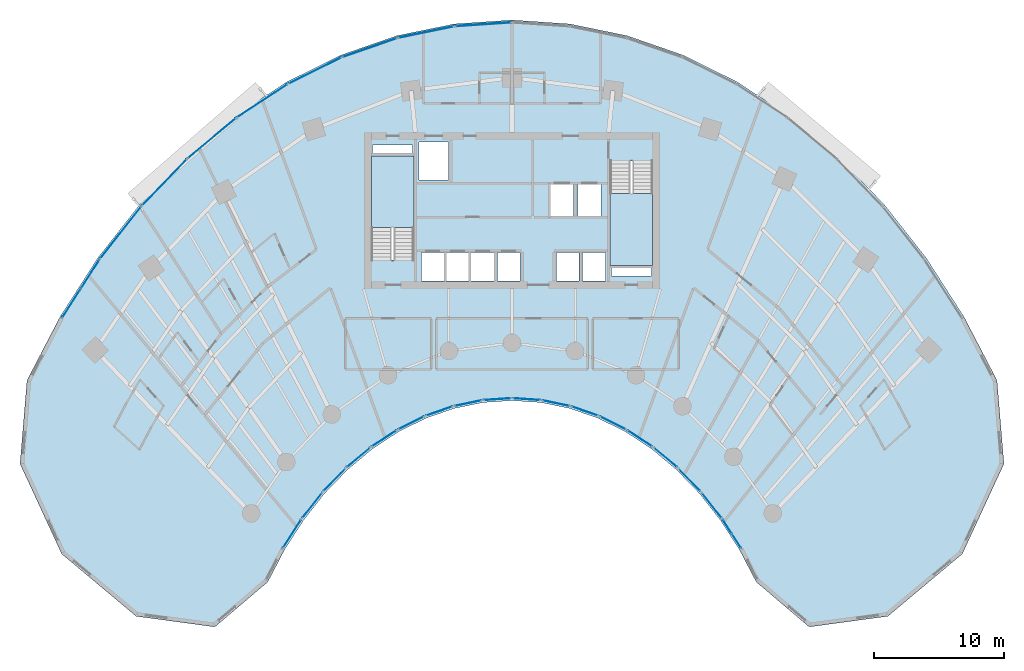
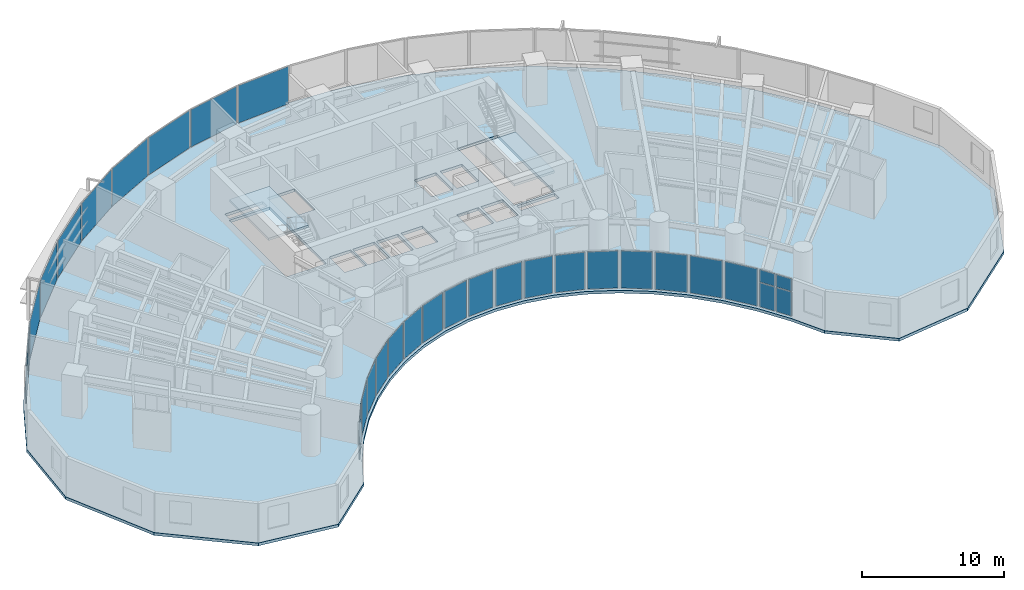
# One storey, part 9 of 17: 33 plates, 3 slabs, 29 elements without a shape of their own.
"""IFC4 building model written with IfcOpenShell, lengths in metres."""

import ifcopenshell
import ifcopenshell.guid

model = None  # the IFC model being written
_history = None  # IfcOwnerHistory: only IFC2X3 demands one
_inside = {}  # id of a spatial element -> (the spatial element, [elements in it])
_under = {}  # id of a project, library or spatial element -> (it, [spatial elements below it])
_declared = {}  # id of a project -> (the project, [libraries it declares])
_typed = {}  # id of a type object -> (the type object, [elements of that type])
_made_of = {}  # id of a material, layer set ... -> (it, [elements and type objects made of it])


def new_model(schema):
    """Start an empty IFC model of exactly this schema.

    Asked for "IFC4X3", IfcOpenShell would pick the latest addendum, in which some entities
    have other attributes; the version numbers below select the first issue.
    IFC2X3 requires an IfcOwnerHistory on every rooted entity: one is made here for all.
    """
    global model, _history
    if schema == "IFC4X3":
        model = ifcopenshell.file(schema_version=(4, 3, 0, 0))
    else:
        model = ifcopenshell.file(schema=schema)
    _inside.clear()
    _under.clear()
    _declared.clear()
    _typed.clear()
    _made_of.clear()
    _history = None
    if model.schema == "IFC2X3":
        org = make("IfcOrganization", Name="unknown")
        user = make(
            "IfcPersonAndOrganization",
            ThePerson=make("IfcPerson", FamilyName="unknown"),
            TheOrganization=org,
        )
        app = make(
            "IfcApplication",
            ApplicationDeveloper=org,
            Version="unknown",
            ApplicationFullName="unknown",
            ApplicationIdentifier="unknown",
        )
        _history = make(
            "IfcOwnerHistory",
            OwningUser=user,
            OwningApplication=app,
            ChangeAction="ADDED",
            CreationDate=0,
        )
    return model


def make(cls, **values):
    """One entity of the class cls with the attributes given. An attribute that is None is left unset."""
    return model.create_entity(
        cls, **{name: value for name, value in values.items() if value is not None}
    )


def rooted(cls, **values):
    """An entity with a GlobalId (a new one), such as an element, a storey or a relation."""
    return make(cls, GlobalId=ifcopenshell.guid.new(), OwnerHistory=_history, **values)


def si_unit(unit_type, name, prefix=None):
    """IfcSIUnit, for example si_unit("LENGTHUNIT", "METRE", prefix="MILLI")."""
    return make("IfcSIUnit", UnitType=unit_type, Prefix=prefix, Name=name)


def assignment(units):
    """IfcUnitAssignment: the units of a project."""
    return None if units is None else make("IfcUnitAssignment", Units=units)


def point(xyz):
    """IfcCartesianPoint."""
    return None if xyz is None else make("IfcCartesianPoint", Coordinates=xyz)


def direction(xyz):
    """IfcDirection."""
    return None if xyz is None else make("IfcDirection", DirectionRatios=xyz)


def frame(location, z_axis=None, x_axis=None):
    """IfcAxis2Placement3D, a coordinate frame: its origin and axes. An axis left out is left unset."""
    return make(
        "IfcAxis2Placement3D",
        Location=point(location),
        Axis=direction(z_axis),
        RefDirection=direction(x_axis),
    )


def frame_2d(location, x_axis=None):
    """IfcAxis2Placement2D, a coordinate frame in the plane: its origin and x axis."""
    return make(
        "IfcAxis2Placement2D", Location=point(location), RefDirection=direction(x_axis)
    )


def origin():
    """The frame at (0, 0, 0) with its axes left unset."""
    return frame((0.0, 0.0, 0.0))


def origin_2d():
    """The frame at (0, 0) in the plane with its x axis left unset."""
    return frame_2d((0.0, 0.0))


def place(relative_to, where):
    """IfcLocalPlacement: puts the frame where relative to a parent placement (None: the world)."""
    return make(
        "IfcLocalPlacement", PlacementRelTo=relative_to, RelativePlacement=where
    )


def context(
    kind, dimensions, precision=None, world=None, true_north=None, identifier=None
):
    """IfcGeometricRepresentationContext, for example the 3D "Model" context."""
    return make(
        "IfcGeometricRepresentationContext",
        ContextIdentifier=identifier,
        ContextType=kind,
        CoordinateSpaceDimension=dimensions,
        Precision=precision,
        WorldCoordinateSystem=world,
        TrueNorth=true_north,
    )


def subcontext(parent, identifier, kind, view, scale=None):
    """IfcGeometricRepresentationSubContext, for example "Body" below "Model"."""
    return make(
        "IfcGeometricRepresentationSubContext",
        ContextIdentifier=identifier,
        ContextType=kind,
        ParentContext=parent,
        TargetScale=scale,
        TargetView=view,
    )


def project(units=None, contexts=None):
    """IfcProject with its units and contexts."""
    return rooted(
        "IfcProject",
        Name="project",
        RepresentationContexts=contexts,
        UnitsInContext=assignment(units),
    )


def spatial(cls, under=None, at=None, **own):
    """A site, building, storey or space (cls), placed at a placement, below another one or the project."""
    s = rooted(cls, ObjectPlacement=at, **own)
    if under is not None:
        _under.setdefault(under.id(), (under, []))[1].append(s)
    return s


def polyline(points):
    """IfcPolyline through the points."""
    return make("IfcPolyline", Points=[point(p) for p in points])


def profile(cls, at=None, kind="AREA", **sizes):
    """A parametric profile (cls). Its sizes go by their IFC names, for example OverallWidth=200.0."""
    return make(cls, ProfileType=kind, Position=at, **sizes)


def rectangle(**sizes):
    """IfcRectangleProfileDef."""
    return profile("IfcRectangleProfileDef", **sizes)


def outline(outer, holes=None, kind="AREA"):
    """IfcArbitraryClosedProfileDef: a profile drawn as a closed curve; with holes, ...WithVoids."""
    if holes is None:
        return make("IfcArbitraryClosedProfileDef", ProfileType=kind, OuterCurve=outer)
    return make(
        "IfcArbitraryProfileDefWithVoids",
        ProfileType=kind,
        OuterCurve=outer,
        InnerCurves=holes,
    )


def extrude(swept, where, along, depth):
    """IfcExtrudedAreaSolid: the profile swept, set in the frame where, extruded along a direction by depth."""
    return make(
        "IfcExtrudedAreaSolid",
        SweptArea=swept,
        Position=where,
        ExtrudedDirection=direction(along),
        Depth=depth,
    )


def shape(context_of_items, identifier, shape_type, items):
    """IfcShapeRepresentation: the items that make up one representation, for example the "Body"."""
    return make(
        "IfcShapeRepresentation",
        ContextOfItems=context_of_items,
        RepresentationIdentifier=identifier,
        RepresentationType=shape_type,
        Items=items,
    )


def source(mapping_origin, context_of_items, identifier, shape_type, items):
    """IfcRepresentationMap: a shape defined once, which mapped items show again and again."""
    return make(
        "IfcRepresentationMap",
        MappingOrigin=mapping_origin,
        MappedRepresentation=shape(context_of_items, identifier, shape_type, items),
    )


def transform(
    local_origin,
    x_axis=None,
    y_axis=None,
    z_axis=None,
    scale=None,
    scale2=None,
    scale3=None,
    uniform=True,
):
    """IfcCartesianTransformationOperator3D, or its non-uniform kind. x_axis, y_axis, z_axis: its Axis1, 2, 3."""
    if uniform:
        return make(
            "IfcCartesianTransformationOperator3D",
            Axis1=direction(x_axis),
            Axis2=direction(y_axis),
            LocalOrigin=point(local_origin),
            Scale=scale,
            Axis3=direction(z_axis),
        )
    return make(
        "IfcCartesianTransformationOperator3DnonUniform",
        Axis1=direction(x_axis),
        Axis2=direction(y_axis),
        LocalOrigin=point(local_origin),
        Scale=scale,
        Axis3=direction(z_axis),
        Scale2=scale2,
        Scale3=scale3,
    )


def mapped(mapping_source, mapping_target):
    """IfcMappedItem: shows the shape of a source again, moved by a transform."""
    return make(
        "IfcMappedItem", MappingSource=mapping_source, MappingTarget=mapping_target
    )


def material(Name=None, Category=None):
    """IfcMaterial."""
    return make("IfcMaterial", Name=Name, Category=Category)


def layer(
    of_material, thickness, ventilated=None, Name=None, Category=None, Priority=None
):
    """IfcMaterialLayer: one layer of a wall or slab, of a material (None: an air gap)."""
    return make(
        "IfcMaterialLayer",
        Material=of_material,
        LayerThickness=thickness,
        IsVentilated=ventilated,
        Name=Name,
        Category=Category,
        Priority=Priority,
    )


def layer_set(layers, Name=None):
    """IfcMaterialLayerSet."""
    return make("IfcMaterialLayerSet", MaterialLayers=layers, LayerSetName=Name)


def made_of(thing, what):
    """Note that an element or type object is made of a material, layer set ...; save() writes the relation."""
    if what is not None:
        _made_of.setdefault(what.id(), (what, []))[1].append(thing)
    return thing


def type_object(cls, material=None, **own):
    """A type object (cls), such as IfcWallType, which elements share."""
    return made_of(rooted(cls, **own), material)


def type_shapes(of_type, sources):
    """Give a type object the sources (RepresentationMaps) that its elements show as mapped items."""
    of_type.RepresentationMaps = sources


def element(
    cls,
    number,
    at=None,
    inside=None,
    cuts=None,
    type_object=None,
    material=None,
    context=None,
    identifier="Body",
    shape_type=None,
    held_by="IfcProductDefinitionShape",
    body=None,
    shapes=None,
    **own,
):
    """One element of the class cls, such as IfcWall. Its Tag is "e" and its number.

    at: its placement. inside: the storey or other place that contains it. cuts: it is an
    opening in that element (IfcRelVoidsElement). A single representation is given by context,
    identifier, shape_type and body (its items); several are given by shapes. held_by: the class
    of the entity that holds the representations. save() writes the other relations.
    """
    e = rooted(cls, Tag="e%d" % number, ObjectPlacement=at, **own)
    if body is not None:
        shapes = [shape(context, identifier, shape_type, body)]
    if shapes is not None:
        e.Representation = make(held_by, Representations=shapes)
    if inside is not None:
        _inside.setdefault(inside.id(), (inside, []))[1].append(e)
    if cuts is not None:
        rooted(
            "IfcRelVoidsElement", RelatingBuildingElement=cuts, RelatedOpeningElement=e
        )
    if type_object is not None:
        _typed.setdefault(type_object.id(), (type_object, []))[1].append(e)
    return made_of(e, material)


def aggregate(whole, parts):
    """IfcRelAggregates: a whole, such as a stair, and the parts it consists of."""
    return rooted("IfcRelAggregates", RelatingObject=whole, RelatedObjects=parts)


def save(model, path):
    """Write the relations noted so far, then the file.

    IfcRelAggregates (storeys below a building ...), IfcRelContainedInSpatialStructure (elements
    in a storey), IfcRelDefinesByType, IfcRelAssociatesMaterial and IfcRelDeclares: one each for
    every whole, place, type object, material and project.
    """
    for whole, parts in _under.values():
        aggregate(whole, parts)
    for where, things in _inside.values():
        rooted(
            "IfcRelContainedInSpatialStructure",
            RelatedElements=things,
            RelatingStructure=where,
        )
    for kind, things in _typed.values():
        rooted("IfcRelDefinesByType", RelatedObjects=things, RelatingType=kind)
    for what, things in _made_of.values():
        rooted("IfcRelAssociatesMaterial", RelatedObjects=things, RelatingMaterial=what)
    for by, libraries in _declared.values():
        rooted("IfcRelDeclares", RelatingContext=by, RelatedDefinitions=libraries)
    model.write(path)


model = new_model("IFC4")

# Units and contexts
model_context = context("Model", 3, precision=1e-05, world=origin(), true_north=direction((0.0, 1.0)))
body_context = subcontext(model_context, "Body", "Model", "MODEL_VIEW")
ifc_project = project(units=[si_unit("LENGTHUNIT", "METRE"), si_unit("AREAUNIT", "SQUARE_METRE"), si_unit("VOLUMEUNIT", "CUBIC_METRE"), si_unit("PLANEANGLEUNIT", "RADIAN"), si_unit("MASSUNIT", "GRAM", prefix="KILO")], contexts=[model_context])

# Site, building, storey
site_placement = place(None, origin())
site = spatial("IfcSite", under=ifc_project, at=site_placement, CompositionType="ELEMENT")
building_placement = place(site_placement, origin())
building = spatial("IfcBuilding", under=site, at=building_placement, Name="Breltana Convention Tower", CompositionType="ELEMENT")
storey_placement = place(building_placement, frame((0.0, 0.0, 67.800048828125)))
storey = spatial("IfcBuildingStorey", under=building, at=storey_placement, Name="L15", CompositionType="ELEMENT", Elevation=67.800048828125)

# Slab
ifc_material_1 = material(Name="Concrete C40/50", Category="concrete")
ifc_layer_1 = layer(ifc_material_1, 0.239990234375, Name="Concrete C40/50")
ifc_layer_set_1 = layer_set([ifc_layer_1], Name="Concrete C40/50")
slab_type_1 = type_object("IfcSlabType", Name="SL-HTL-240", PredefinedType="FLOOR", material=ifc_layer_set_1)
slab_1_placement = place(storey_placement, frame((0.0, 0.0, -0.239990234375)))
element("IfcSlab", 1, at=slab_1_placement, inside=storey, type_object=slab_type_1, Name="L15 Suspended Structural Floor Slab", PredefinedType="FLOOR", context=body_context, shape_type="SweptSolid", body=[
    extrude(outline(polyline([(85.229248046875, 53.173095703125), (82.687744140625, 58.054931640625), (79.791015625, 62.567626953125), (76.569091796875, 66.664794921875), (73.05419921875, 70.304931640625), (69.283203125, 73.450439453125), (65.2939453125, 76.069091796875), (61.1279296875, 78.134033203125), (56.827392578125, 79.62451171875), (52.436279296875, 80.52490234375), (48.0, 80.825927734375), (43.563720703125, 80.52490234375), (39.172607421875, 79.62451171875), (34.8720703125, 78.134033203125), (30.7060546875, 76.069091796875), (26.716796875, 73.450439453125), (22.94580078125, 70.304931640625), (19.430908203125, 66.664794921875), (16.208984375, 62.567626953125), (13.312255859375, 58.054931640625), (10.770751953125, 53.173095703125), (10.234619140625, 46.75927734375), (13.433837890625, 39.8388671875), (19.14697265625, 35.055419921875), (25.191162109375, 34.235595703125), (29.258056640625, 37.693115234375), (30.53759765625, 40.150634765625), (31.995849609375, 42.42236328125), (33.617919921875, 44.485107421875), (35.38720703125, 46.3173828125), (37.28564453125, 47.90087890625), (39.2939453125, 49.21923828125), (41.39111328125, 50.2587890625), (43.55615234375, 51.009033203125), (45.7666015625, 51.46240234375), (48.0, 51.614013671875), (50.2333984375, 51.46240234375), (52.44384765625, 51.009033203125), (54.60888671875, 50.2587890625), (56.7060546875, 49.21923828125), (58.71435546875, 47.90087890625), (60.61279296875, 46.3173828125), (62.382080078125, 44.485107421875), (64.004150390625, 42.42236328125), (65.46240234375, 40.150634765625), (66.741943359375, 37.693115234375), (70.808837890625, 34.235595703125), (76.85302734375, 35.055419921875), (82.566162109375, 39.8388671875), (85.765380859375, 46.75927734375), (85.229248046875, 53.173095703125)]), holes=[polyline([(37.199951171875, 62.385009765625), (40.469970703125, 62.385009765625), (40.469970703125, 70.39990234375), (37.199951171875, 70.39990234375), (37.199951171875, 62.385009765625)]), polyline([(55.530029296875, 62.0), (58.800048828125, 62.0), (58.800048828125, 70.014892578125), (55.530029296875, 70.014892578125), (55.530029296875, 62.0)]), polyline([(41.0400390625, 60.800048828125), (42.800048828125, 60.800048828125), (42.800048828125, 62.97998046875), (41.0400390625, 62.97998046875), (41.0400390625, 60.800048828125)]), polyline([(42.93994140625, 60.800048828125), (44.699951171875, 60.800048828125), (44.699951171875, 62.97998046875), (42.93994140625, 62.97998046875), (42.93994140625, 60.800048828125)]), polyline([(44.8701171875, 60.800048828125), (46.6298828125, 60.800048828125), (46.6298828125, 62.97998046875), (44.8701171875, 62.97998046875), (44.8701171875, 60.800048828125)]), polyline([(46.8701171875, 60.800048828125), (48.6298828125, 60.800048828125), (48.6298828125, 62.97998046875), (46.8701171875, 62.97998046875), (46.8701171875, 60.800048828125)]), polyline([(51.39990234375, 60.800048828125), (53.159912109375, 60.800048828125), (53.159912109375, 62.97998046875), (51.39990234375, 62.97998046875), (51.39990234375, 60.800048828125)]), polyline([(53.39990234375, 60.800048828125), (55.159912109375, 60.800048828125), (55.159912109375, 62.97998046875), (53.39990234375, 62.97998046875), (53.39990234375, 60.800048828125)]), polyline([(50.969970703125, 65.800048828125), (52.72998046875, 65.800048828125), (52.72998046875, 68.179931640625), (50.969970703125, 68.179931640625), (50.969970703125, 65.800048828125)]), polyline([(53.070068359375, 65.800048828125), (54.830078125, 65.800048828125), (54.830078125, 68.179931640625), (53.070068359375, 68.179931640625), (53.070068359375, 65.800048828125)]), polyline([(40.8798828125, 68.550048828125), (43.1201171875, 68.550048828125), (43.1201171875, 71.449951171875), (40.8798828125, 71.449951171875), (40.8798828125, 68.550048828125)]), polyline([(37.300048828125, 70.60009765625), (40.3798828125, 70.60009765625), (40.3798828125, 71.219970703125), (37.300048828125, 71.219970703125), (37.300048828125, 70.60009765625)]), polyline([(55.6201171875, 61.179931640625), (58.699951171875, 61.179931640625), (58.699951171875, 61.800048828125), (55.6201171875, 61.800048828125), (55.6201171875, 61.179931640625)])]), origin(), (0.0, 0.0, 1.0), 0.239990234375),
])

# Stair, slab
stair_type = type_object("IfcStairType", Name="ST-DOG-1560-R180", PredefinedType="HALF_TURN_STAIR", material=ifc_material_1)
stair_1_placement = place(storey_placement, origin())
stair_1 = element("IfcStair", 2, at=stair_1_placement, inside=storey, type_object=stair_type, Name="L15 Protected Core Exit Stair ST-1", PredefinedType="HALF_TURN_STAIR")
ifc_layer_2 = layer(ifc_material_1, 0.199951171875, Name="Concrete C40/50")
ifc_layer_set_2 = layer_set([ifc_layer_2], Name="Concrete C40/50")
slab_type_2 = type_object("IfcSlabType", Name="SL-STAIR-LANDING-200", PredefinedType="LANDING", material=ifc_layer_set_2)
slab_2_placement = place(storey_placement, frame((0.0, 0.0, 1.599853515625)))
slab_2 = element("IfcSlab", 3, at=slab_2_placement, type_object=slab_type_2, Name="ST-1 landing 1", PredefinedType="LANDING", context=body_context, shape_type="SweptSolid", body=[
    extrude(outline(polyline([(40.469970703125, 64.8798828125), (40.469970703125, 70.39990234375), (37.199951171875, 70.39990234375), (37.199951171875, 64.8798828125), (40.469970703125, 64.8798828125)])), origin(), (0.0, 0.0, 1.0), 0.2001953125),
])
aggregate(stair_1, [slab_2])

stair_2_placement = place(storey_placement, origin())
stair_2 = element("IfcStair", 4, at=stair_2_placement, inside=storey, type_object=stair_type, Name="L15 Protected Core Exit Stair ST-2", PredefinedType="HALF_TURN_STAIR")
slab_3_placement = place(storey_placement, frame((0.0, 0.0, 1.599853515625)))
slab_3 = element("IfcSlab", 5, at=slab_3_placement, type_object=slab_type_2, Name="ST-2 landing 1", PredefinedType="LANDING", context=body_context, shape_type="SweptSolid", body=[
    extrude(outline(polyline([(55.530029296875, 67.52001953125), (55.530029296875, 62.0), (58.800048828125, 62.0), (58.800048828125, 67.52001953125), (55.530029296875, 67.52001953125)])), origin(), (0.0, 0.0, 1.0), 0.2001953125),
])
aggregate(stair_2, [slab_3])

# Curtain wall, plates
ifc_material_2 = material(Name="Aluminium Anodised Bronze Frame", Category="aluminium")
ifc_layer_3 = layer(ifc_material_2, 0.18994140625, Name="Aluminium Anodised Bronze Frame")
ifc_layer_set_3 = layer_set([ifc_layer_3], Name="Aluminium Anodised Bronze Frame")
curtain_wall_type_1 = type_object("IfcCurtainWallType", Name="CW-SYS-1", PredefinedType="NOTDEFINED", material=ifc_layer_set_3)
curtain_wall_1_placement = place(storey_placement, origin())
curtain_wall_1 = element("IfcCurtainWall", 6, at=curtain_wall_1_placement, inside=storey, type_object=curtain_wall_type_1, Name="L15 inner south-court glazing 1", PredefinedType="NOTDEFINED")
ifc_material_3 = material(Name="Glass Low-E Double Glazing", Category="glass")
ifc_layer_4 = layer(ifc_material_3, 0.028076171875, Name="Glass Low-E Double Glazing")
ifc_layer_set_4 = layer_set([ifc_layer_4], Name="Glass Low-E Double Glazing")
plate_type_1 = type_object("IfcPlateType", Name="CWP-IGU-28", PredefinedType="CURTAIN_PANEL", material=ifc_layer_set_4)
shared_shape_1 = source(origin(), body_context, "Body", "SweptSolid", [
    extrude(rectangle(XDim=1.229736328125, YDim=0.028076171875, at=origin_2d()), origin(), (0.0, 0.0, 1.0), 2.06396484375),
])
plate_1_placement = place(storey_placement, frame((65.238525390625, 40.83251953125, 0.080078125), z_axis=(0.0, 0.0, 1.0), x_axis=(-0.540169576197, 0.841556194767, 0.0)))
plate_1 = element("IfcPlate", 7, at=plate_1_placement, type_object=plate_type_1, Name="CW-01 panel 1.1", PredefinedType="CURTAIN_PANEL", context=body_context, shape_type="MappedRepresentation", body=[
    mapped(shared_shape_1, transform((0.0, 0.0, 0.0), scale=1.0)),
])
plate_2_placement = place(storey_placement, frame((64.531005859375, 41.934814453125, 0.080078125), z_axis=(0.0, 0.0, 1.0), x_axis=(-0.540169576197, 0.841556194767, 0.0)))
plate_2 = element("IfcPlate", 8, at=plate_2_placement, type_object=plate_type_1, Name="CW-01 panel 2.1", PredefinedType="CURTAIN_PANEL", context=body_context, shape_type="MappedRepresentation", body=[
    mapped(shared_shape_1, transform((0.0, 0.0, 0.0), scale=1.0)),
])
shared_shape_2 = source(origin(), body_context, "Body", "SweptSolid", [
    extrude(rectangle(XDim=1.229736328125, YDim=0.028076171875, at=origin_2d()), origin(), (0.0, 0.0, 1.0), 1.055908203125),
])
plate_3_placement = place(storey_placement, frame((65.238525390625, 40.83251953125, 2.22412109375), z_axis=(0.0, 0.0, 1.0), x_axis=(-0.540169576197, 0.841556194767, 0.0)))
plate_3 = element("IfcPlate", 9, at=plate_3_placement, type_object=plate_type_1, Name="CW-01 panel 1.2", PredefinedType="CURTAIN_PANEL", context=body_context, shape_type="MappedRepresentation", body=[
    mapped(shared_shape_2, transform((0.0, 0.0, 0.0), scale=1.0)),
])
plate_4_placement = place(storey_placement, frame((64.531005859375, 41.934814453125, 2.22412109375), z_axis=(0.0, 0.0, 1.0), x_axis=(-0.540169576197, 0.841556194767, 0.0)))
plate_4 = element("IfcPlate", 10, at=plate_4_placement, type_object=plate_type_1, Name="CW-01 panel 2.2", PredefinedType="CURTAIN_PANEL", context=body_context, shape_type="MappedRepresentation", body=[
    mapped(shared_shape_2, transform((0.0, 0.0, 0.0), scale=1.0)),
])
aggregate(curtain_wall_1, [plate_1, plate_3, plate_2, plate_4])

# Curtain wall, plate
curtain_wall_2_placement = place(storey_placement, origin())
curtain_wall_2 = element("IfcCurtainWall", 11, at=curtain_wall_2_placement, inside=storey, type_object=curtain_wall_type_1, Name="L15 inner south-court glazing 2", PredefinedType="NOTDEFINED")
shared_shape_3 = source(origin(), body_context, "Body", "SweptSolid", [
    extrude(rectangle(XDim=2.464111328125, YDim=0.028076171875, at=origin_2d()), origin(), (0.0, 0.0, 1.0), 3.199951171875),
])
plate_5_placement = place(storey_placement, frame((63.334716796875, 43.56494140625, 0.080078125), z_axis=(0.0, 0.0, 1.0), x_axis=(-0.61815305034, 0.786057762734, 0.0)))
plate_5 = element("IfcPlate", 12, at=plate_5_placement, type_object=plate_type_1, Name="CW-01 panel 1.1", PredefinedType="CURTAIN_PANEL", context=body_context, shape_type="MappedRepresentation", body=[
    mapped(shared_shape_3, transform((0.0, 0.0, 0.0), scale=1.0)),
])
aggregate(curtain_wall_2, [plate_5])

curtain_wall_3_placement = place(storey_placement, origin())
curtain_wall_3 = element("IfcCurtainWall", 13, at=curtain_wall_3_placement, inside=storey, type_object=curtain_wall_type_1, Name="L15 inner south-court glazing 17", PredefinedType="NOTDEFINED")
plate_6_placement = place(storey_placement, frame((32.665283203125, 43.56494140625, 0.080078125), z_axis=(0.0, 0.0, 1.0), x_axis=(-0.61815305034, -0.786057762734, 0.0)))
plate_6 = element("IfcPlate", 14, at=plate_6_placement, type_object=plate_type_1, Name="CW-01 panel 1.1", PredefinedType="CURTAIN_PANEL", context=body_context, shape_type="MappedRepresentation", body=[
    mapped(shared_shape_3, transform((0.0, 0.0, 0.0), scale=1.0)),
])
aggregate(curtain_wall_3, [plate_6])

curtain_wall_4_placement = place(storey_placement, origin())
curtain_wall_4 = element("IfcCurtainWall", 15, at=curtain_wall_4_placement, inside=storey, type_object=curtain_wall_type_1, Name="L15 inner south-court glazing 3", PredefinedType="NOTDEFINED")
shared_shape_4 = source(origin(), body_context, "Body", "SweptSolid", [
    extrude(rectangle(XDim=2.38720703125, YDim=0.028076171875, at=origin_2d()), origin(), (0.0, 0.0, 1.0), 3.199951171875),
])
plate_7_placement = place(storey_placement, frame((61.626953125, 45.5263671875, 0.080078125), z_axis=(0.0, 0.0, 1.0), x_axis=(-0.694612029111, 0.719384548773, 0.0)))
plate_7 = element("IfcPlate", 16, at=plate_7_placement, type_object=plate_type_1, Name="CW-01 panel 1.1", PredefinedType="CURTAIN_PANEL", context=body_context, shape_type="MappedRepresentation", body=[
    mapped(shared_shape_4, transform((0.0, 0.0, 0.0), scale=1.0)),
])
aggregate(curtain_wall_4, [plate_7])

curtain_wall_5_placement = place(storey_placement, origin())
curtain_wall_5 = element("IfcCurtainWall", 17, at=curtain_wall_5_placement, inside=storey, type_object=curtain_wall_type_1, Name="L15 inner south-court glazing 16", PredefinedType="NOTDEFINED")
plate_8_placement = place(storey_placement, frame((34.373046875, 45.5263671875, 0.080078125), z_axis=(0.0, 0.0, 1.0), x_axis=(-0.694612029111, -0.719384548773, 0.0)))
plate_8 = element("IfcPlate", 18, at=plate_8_placement, type_object=plate_type_1, Name="CW-01 panel 1.1", PredefinedType="CURTAIN_PANEL", context=body_context, shape_type="MappedRepresentation", body=[
    mapped(shared_shape_4, transform((0.0, 0.0, 0.0), scale=1.0)),
])
aggregate(curtain_wall_5, [plate_8])

curtain_wall_6_placement = place(storey_placement, origin())
curtain_wall_6 = element("IfcCurtainWall", 19, at=curtain_wall_6_placement, inside=storey, type_object=curtain_wall_type_1, Name="L15 inner south-court glazing 4", PredefinedType="NOTDEFINED")
shared_shape_5 = source(origin(), body_context, "Body", "SweptSolid", [
    extrude(rectangle(XDim=2.312255859375, YDim=0.028076171875, at=origin_2d()), origin(), (0.0, 0.0, 1.0), 3.199951171875),
])
plate_9_placement = place(storey_placement, frame((59.77880859375, 47.24755859375, 0.080078125), z_axis=(0.0, 0.0, 1.0), x_axis=(-0.767939382804, 0.640522524458, 0.0)))
plate_9 = element("IfcPlate", 20, at=plate_9_placement, type_object=plate_type_1, Name="CW-01 panel 1.1", PredefinedType="CURTAIN_PANEL", context=body_context, shape_type="MappedRepresentation", body=[
    mapped(shared_shape_5, transform((0.0, 0.0, 0.0), scale=1.0)),
])
aggregate(curtain_wall_6, [plate_9])

curtain_wall_7_placement = place(storey_placement, origin())
curtain_wall_7 = element("IfcCurtainWall", 21, at=curtain_wall_7_placement, inside=storey, type_object=curtain_wall_type_1, Name="L15 inner south-court glazing 15", PredefinedType="NOTDEFINED")
plate_10_placement = place(storey_placement, frame((36.22119140625, 47.24755859375, 0.080078125), z_axis=(0.0, 0.0, 1.0), x_axis=(-0.767939382804, -0.640522524458, 0.0)))
plate_10 = element("IfcPlate", 22, at=plate_10_placement, type_object=plate_type_1, Name="CW-01 panel 1.1", PredefinedType="CURTAIN_PANEL", context=body_context, shape_type="MappedRepresentation", body=[
    mapped(shared_shape_5, transform((0.0, 0.0, 0.0), scale=1.0)),
])
aggregate(curtain_wall_7, [plate_10])

curtain_wall_8_placement = place(storey_placement, origin())
curtain_wall_8 = element("IfcCurtainWall", 23, at=curtain_wall_8_placement, inside=storey, type_object=curtain_wall_type_1, Name="L15 inner south-court glazing 5", PredefinedType="NOTDEFINED")
shared_shape_6 = source(origin(), body_context, "Body", "SweptSolid", [
    extrude(rectangle(XDim=2.2421875, YDim=0.028076171875, at=origin_2d()), origin(), (0.0, 0.0, 1.0), 3.199951171875),
])
plate_11_placement = place(storey_placement, frame((57.80908203125, 48.710693359375, 0.080078125), z_axis=(0.0, 0.0, 1.0), x_axis=(-0.835967942634, 0.548778278441, 0.0)))
plate_11 = element("IfcPlate", 24, at=plate_11_placement, type_object=plate_type_1, Name="CW-01 panel 1.1", PredefinedType="CURTAIN_PANEL", context=body_context, shape_type="MappedRepresentation", body=[
    mapped(shared_shape_6, transform((0.0, 0.0, 0.0), scale=1.0)),
])
aggregate(curtain_wall_8, [plate_11])

curtain_wall_9_placement = place(storey_placement, origin())
curtain_wall_9 = element("IfcCurtainWall", 25, at=curtain_wall_9_placement, inside=storey, type_object=curtain_wall_type_1, Name="L15 inner south-court glazing 14", PredefinedType="NOTDEFINED")
plate_12_placement = place(storey_placement, frame((38.19091796875, 48.710693359375, 0.080078125), z_axis=(0.0, 0.0, 1.0), x_axis=(-0.835967942634, -0.548778278441, 0.0)))
plate_12 = element("IfcPlate", 26, at=plate_12_placement, type_object=plate_type_1, Name="CW-01 panel 1.1", PredefinedType="CURTAIN_PANEL", context=body_context, shape_type="MappedRepresentation", body=[
    mapped(shared_shape_6, transform((0.0, 0.0, 0.0), scale=1.0)),
])
aggregate(curtain_wall_9, [plate_12])

curtain_wall_10_placement = place(storey_placement, origin())
curtain_wall_10 = element("IfcCurtainWall", 27, at=curtain_wall_10_placement, inside=storey, type_object=curtain_wall_type_1, Name="L15 inner south-court glazing 6", PredefinedType="NOTDEFINED")
shared_shape_7 = source(origin(), body_context, "Body", "SweptSolid", [
    extrude(rectangle(XDim=2.180908203125, YDim=0.028076171875, at=origin_2d()), origin(), (0.0, 0.0, 1.0), 3.199951171875),
])
plate_13_placement = place(storey_placement, frame((55.7373046875, 49.900390625, 0.080078125), z_axis=(0.0, 0.0, 1.0), x_axis=(-0.895968310315, 0.444117987602, 0.0)))
plate_13 = element("IfcPlate", 28, at=plate_13_placement, type_object=plate_type_1, Name="CW-01 panel 1.1", PredefinedType="CURTAIN_PANEL", context=body_context, shape_type="MappedRepresentation", body=[
    mapped(shared_shape_7, transform((0.0, 0.0, 0.0), scale=1.0)),
])
aggregate(curtain_wall_10, [plate_13])

curtain_wall_11_placement = place(storey_placement, origin())
curtain_wall_11 = element("IfcCurtainWall", 29, at=curtain_wall_11_placement, inside=storey, type_object=curtain_wall_type_1, Name="L15 inner south-court glazing 13", PredefinedType="NOTDEFINED")
plate_14_placement = place(storey_placement, frame((40.2626953125, 49.900390625, 0.080078125), z_axis=(0.0, 0.0, 1.0), x_axis=(-0.895968310315, -0.444117987602, 0.0)))
plate_14 = element("IfcPlate", 30, at=plate_14_placement, type_object=plate_type_1, Name="CW-01 panel 1.1", PredefinedType="CURTAIN_PANEL", context=body_context, shape_type="MappedRepresentation", body=[
    mapped(shared_shape_7, transform((0.0, 0.0, 0.0), scale=1.0)),
])
aggregate(curtain_wall_11, [plate_14])

curtain_wall_12_placement = place(storey_placement, origin())
curtain_wall_12 = element("IfcCurtainWall", 31, at=curtain_wall_12_placement, inside=storey, type_object=curtain_wall_type_1, Name="L15 inner south-court glazing 7", PredefinedType="NOTDEFINED")
shared_shape_8 = source(origin(), body_context, "Body", "SweptSolid", [
    extrude(rectangle(XDim=2.13134765625, YDim=0.028076171875, at=origin_2d()), origin(), (0.0, 0.0, 1.0), 3.199951171875),
])
plate_15_placement = place(storey_placement, frame((53.585205078125, 50.80419921875, 0.080078125), z_axis=(0.0, 0.0, 1.0), x_axis=(-0.944881211406, 0.327413341714, 0.0)))
plate_15 = element("IfcPlate", 32, at=plate_15_placement, type_object=plate_type_1, Name="CW-01 panel 1.1", PredefinedType="CURTAIN_PANEL", context=body_context, shape_type="MappedRepresentation", body=[
    mapped(shared_shape_8, transform((0.0, 0.0, 0.0), scale=1.0)),
])
aggregate(curtain_wall_12, [plate_15])

curtain_wall_13_placement = place(storey_placement, origin())
curtain_wall_13 = element("IfcCurtainWall", 33, at=curtain_wall_13_placement, inside=storey, type_object=curtain_wall_type_1, Name="L15 inner south-court glazing 12", PredefinedType="NOTDEFINED")
plate_16_placement = place(storey_placement, frame((42.414794921875, 50.80419921875, 0.080078125), z_axis=(0.0, 0.0, 1.0), x_axis=(-0.944881211406, -0.327413341714, 0.0)))
plate_16 = element("IfcPlate", 34, at=plate_16_placement, type_object=plate_type_1, Name="CW-01 panel 1.1", PredefinedType="CURTAIN_PANEL", context=body_context, shape_type="MappedRepresentation", body=[
    mapped(shared_shape_8, transform((0.0, 0.0, 0.0), scale=1.0)),
])
aggregate(curtain_wall_13, [plate_16])

curtain_wall_14_placement = place(storey_placement, origin())
curtain_wall_14 = element("IfcCurtainWall", 35, at=curtain_wall_14_placement, inside=storey, type_object=curtain_wall_type_1, Name="L15 inner south-court glazing 8", PredefinedType="NOTDEFINED")
shared_shape_9 = source(origin(), body_context, "Body", "SweptSolid", [
    extrude(rectangle(XDim=2.096435546875, YDim=0.028076171875, at=origin_2d()), origin(), (0.0, 0.0, 1.0), 3.199951171875),
])
plate_17_placement = place(storey_placement, frame((51.374755859375, 51.412109375, 0.080078125), z_axis=(0.0, 0.0, 1.0), x_axis=(-0.97961455393, 0.200886350278, 0.0)))
plate_17 = element("IfcPlate", 36, at=plate_17_placement, type_object=plate_type_1, Name="CW-01 panel 1.1", PredefinedType="CURTAIN_PANEL", context=body_context, shape_type="MappedRepresentation", body=[
    mapped(shared_shape_9, transform((0.0, 0.0, 0.0), scale=1.0)),
])
aggregate(curtain_wall_14, [plate_17])

curtain_wall_15_placement = place(storey_placement, origin())
curtain_wall_15 = element("IfcCurtainWall", 37, at=curtain_wall_15_placement, inside=storey, type_object=curtain_wall_type_1, Name="L15 inner south-court glazing 11", PredefinedType="NOTDEFINED")
plate_18_placement = place(storey_placement, frame((44.625244140625, 51.412109375, 0.080078125), z_axis=(0.0, 0.0, 1.0), x_axis=(-0.97961455393, -0.200886350278, 0.0)))
plate_18 = element("IfcPlate", 38, at=plate_18_placement, type_object=plate_type_1, Name="CW-01 panel 1.1", PredefinedType="CURTAIN_PANEL", context=body_context, shape_type="MappedRepresentation", body=[
    mapped(shared_shape_9, transform((0.0, 0.0, 0.0), scale=1.0)),
])
aggregate(curtain_wall_15, [plate_18])

curtain_wall_16_placement = place(storey_placement, origin())
curtain_wall_16 = element("IfcCurtainWall", 39, at=curtain_wall_16_placement, inside=storey, type_object=curtain_wall_type_1, Name="L15 inner south-court glazing 9", PredefinedType="NOTDEFINED")
shared_shape_10 = source(origin(), body_context, "Body", "SweptSolid", [
    extrude(rectangle(XDim=2.078369140625, YDim=0.028076171875, at=origin_2d()), origin(), (0.0, 0.0, 1.0), 3.199951171875),
])
plate_19_placement = place(storey_placement, frame((49.12890625, 51.7177734375, 0.080078125), z_axis=(0.0, 0.0, 1.0), x_axis=(-0.997703975371, 0.067725752326, 0.0)))
plate_19 = element("IfcPlate", 40, at=plate_19_placement, type_object=plate_type_1, Name="CW-01 panel 1.1", PredefinedType="CURTAIN_PANEL", context=body_context, shape_type="MappedRepresentation", body=[
    mapped(shared_shape_10, transform((0.0, 0.0, 0.0), scale=1.0)),
])
aggregate(curtain_wall_16, [plate_19])

curtain_wall_17_placement = place(storey_placement, origin())
curtain_wall_17 = element("IfcCurtainWall", 41, at=curtain_wall_17_placement, inside=storey, type_object=curtain_wall_type_1, Name="L15 inner south-court glazing 10", PredefinedType="NOTDEFINED")
plate_20_placement = place(storey_placement, frame((46.87109375, 51.7177734375, 0.080078125), z_axis=(0.0, 0.0, 1.0), x_axis=(-0.997703975371, -0.067725752326, 0.0)))
plate_20 = element("IfcPlate", 42, at=plate_20_placement, type_object=plate_type_1, Name="CW-01 panel 1.1", PredefinedType="CURTAIN_PANEL", context=body_context, shape_type="MappedRepresentation", body=[
    mapped(shared_shape_10, transform((0.0, 0.0, 0.0), scale=1.0)),
])
aggregate(curtain_wall_17, [plate_20])

curtain_wall_18_placement = place(storey_placement, origin())
curtain_wall_18 = element("IfcCurtainWall", 43, at=curtain_wall_18_placement, inside=storey, type_object=curtain_wall_type_1, Name="L15 inner south-court glazing 18", PredefinedType="NOTDEFINED")
shared_shape_11 = source(origin(), body_context, "Body", "SweptSolid", [
    extrude(rectangle(XDim=2.53955078125, YDim=0.028076171875, at=origin_2d()), origin(), (0.0, 0.0, 1.0), 3.199951171875),
])
plate_21_placement = place(storey_placement, frame((31.115234375, 41.3837890625, 0.080078125), z_axis=(0.0, 0.0, 1.0), x_axis=(-0.540169576197, -0.841556194767, 0.0)))
plate_21 = element("IfcPlate", 44, at=plate_21_placement, type_object=plate_type_1, Name="CW-01 panel 1.1", PredefinedType="CURTAIN_PANEL", context=body_context, shape_type="MappedRepresentation", body=[
    mapped(shared_shape_11, transform((0.0, 0.0, 0.0), scale=1.0)),
])
aggregate(curtain_wall_18, [plate_21])

# Curtain wall, plates
ifc_layer_5 = layer(ifc_material_2, 0.199951171875, Name="Aluminium Anodised Bronze Frame")
ifc_layer_set_5 = layer_set([ifc_layer_5], Name="Aluminium Anodised Bronze Frame")
curtain_wall_type_2 = type_object("IfcCurtainWallType", Name="CW-SYS-2", PredefinedType="NOTDEFINED", material=ifc_layer_set_5)
curtain_wall_19_placement = place(storey_placement, origin())
curtain_wall_19 = element("IfcCurtainWall", 45, at=curtain_wall_19_placement, inside=storey, type_object=curtain_wall_type_2, Name="L15 outer double-skin inner glazing 1", PredefinedType="NOTDEFINED")
ifc_layer_6 = layer(ifc_material_3, 0.031982421875, Name="Glass Low-E Double Glazing")
ifc_layer_set_6 = layer_set([ifc_layer_6], Name="Glass Low-E Double Glazing")
plate_type_2 = type_object("IfcPlateType", Name="CWP-IGU-32", PredefinedType="CURTAIN_PANEL", material=ifc_layer_set_6)
shared_shape_12 = source(origin(), body_context, "Body", "SweptSolid", [
    extrude(rectangle(XDim=2.56787109375, YDim=0.031982421875, at=origin_2d()), origin(), (0.0, 0.0, 1.0), 2.0791015625),
])
type_shapes(plate_type_2, [shared_shape_12])
plate_22_placement = place(storey_placement, frame((14.199462890625, 59.103759765625, 0.06982421875), z_axis=(0.0, 0.0, 1.0), x_axis=(0.540180724109, 0.841549039154, 0.0)))
plate_22 = element("IfcPlate", 46, at=plate_22_placement, type_object=plate_type_2, Name="CW-02 panel 1.1", PredefinedType="CURTAIN_PANEL", context=body_context, shape_type="MappedRepresentation", body=[
    mapped(shared_shape_12, transform((0.0, 0.0, 0.0), scale=1.0)),
])
plate_23_placement = place(storey_placement, frame((15.624267578125, 61.32373046875, 0.06982421875), z_axis=(0.0, 0.0, 1.0), x_axis=(0.540180724109, 0.841549039154, 0.0)))
plate_23 = element("IfcPlate", 47, at=plate_23_placement, type_object=plate_type_2, Name="CW-02 panel 2.1", PredefinedType="CURTAIN_PANEL", context=body_context, shape_type="MappedRepresentation", body=[
    mapped(shared_shape_12, transform((0.0, 0.0, 0.0), scale=1.0)),
])
shared_shape_13 = source(origin(), body_context, "Body", "SweptSolid", [
    extrude(rectangle(XDim=2.56787109375, YDim=0.031982421875, at=origin_2d()), origin(), (0.0, 0.0, 1.0), 1.071044921875),
])
plate_24_placement = place(storey_placement, frame((14.199462890625, 59.103759765625, 2.21875), z_axis=(0.0, 0.0, 1.0), x_axis=(0.540180724109, 0.841549039154, 0.0)))
plate_24 = element("IfcPlate", 48, at=plate_24_placement, type_object=plate_type_2, Name="CW-02 panel 1.2", PredefinedType="CURTAIN_PANEL", context=body_context, shape_type="MappedRepresentation", body=[
    mapped(shared_shape_13, transform((0.0, 0.0, 0.0), scale=1.0)),
])
plate_25_placement = place(storey_placement, frame((15.624267578125, 61.32373046875, 2.21875), z_axis=(0.0, 0.0, 1.0), x_axis=(0.540180724109, 0.841549039154, 0.0)))
plate_25 = element("IfcPlate", 49, at=plate_25_placement, type_object=plate_type_2, Name="CW-02 panel 2.2", PredefinedType="CURTAIN_PANEL", context=body_context, shape_type="MappedRepresentation", body=[
    mapped(shared_shape_13, transform((0.0, 0.0, 0.0), scale=1.0)),
])
aggregate(curtain_wall_19, [plate_22, plate_24, plate_23, plate_25])

# Curtain wall, plate
curtain_wall_20_placement = place(storey_placement, origin())
curtain_wall_20 = element("IfcCurtainWall", 50, at=curtain_wall_20_placement, inside=storey, type_object=curtain_wall_type_2, Name="L15 outer double-skin inner glazing 2", PredefinedType="NOTDEFINED")
shared_shape_14 = source(origin(), body_context, "Body", "SweptSolid", [
    extrude(rectangle(XDim=5.0546875, YDim=0.031982421875, at=origin_2d()), origin(), (0.0, 0.0, 1.0), 3.219970703125),
])
plate_26_placement = place(storey_placement, frame((17.961181640625, 64.504638671875, 0.06982421875), z_axis=(0.0, 0.0, 1.0), x_axis=(0.618153917633, 0.786057080698, 0.0)))
plate_26 = element("IfcPlate", 51, at=plate_26_placement, type_object=plate_type_2, Name="CW-02 panel 1.1", PredefinedType="CURTAIN_PANEL", context=body_context, shape_type="MappedRepresentation", body=[
    mapped(shared_shape_14, transform((0.0, 0.0, 0.0), scale=1.0)),
])
aggregate(curtain_wall_20, [plate_26])

curtain_wall_21_placement = place(storey_placement, origin())
curtain_wall_21 = element("IfcCurtainWall", 52, at=curtain_wall_21_placement, inside=storey, type_object=curtain_wall_type_2, Name="L15 outer double-skin inner glazing 3", PredefinedType="NOTDEFINED")
shared_shape_15 = source(origin(), body_context, "Body", "SweptSolid", [
    extrude(rectangle(XDim=4.901123046875, YDim=0.031982421875, at=origin_2d()), origin(), (0.0, 0.0, 1.0), 3.219970703125),
])
plate_27_placement = place(storey_placement, frame((21.317626953125, 68.359619140625, 0.06982421875), z_axis=(0.0, 0.0, 1.0), x_axis=(0.694610090106, 0.719386421003, 0.0)))
plate_27 = element("IfcPlate", 53, at=plate_27_placement, type_object=plate_type_2, Name="CW-02 panel 1.1", PredefinedType="CURTAIN_PANEL", context=body_context, shape_type="MappedRepresentation", body=[
    mapped(shared_shape_15, transform((0.0, 0.0, 0.0), scale=1.0)),
])
aggregate(curtain_wall_21, [plate_27])

curtain_wall_22_placement = place(storey_placement, origin())
curtain_wall_22 = element("IfcCurtainWall", 54, at=curtain_wall_22_placement, inside=storey, type_object=curtain_wall_type_2, Name="L15 outer double-skin inner glazing 4", PredefinedType="NOTDEFINED")
shared_shape_16 = source(origin(), body_context, "Body", "SweptSolid", [
    extrude(rectangle(XDim=4.7509765625, YDim=0.031982421875, at=origin_2d()), origin(), (0.0, 0.0, 1.0), 3.219970703125),
])
plate_28_placement = place(storey_placement, frame((24.9462890625, 71.7392578125, 0.06982421875), z_axis=(0.0, 0.0, 1.0), x_axis=(0.767941326958, 0.640520193554, 0.0)))
plate_28 = element("IfcPlate", 55, at=plate_28_placement, type_object=plate_type_2, Name="CW-02 panel 1.1", PredefinedType="CURTAIN_PANEL", context=body_context, shape_type="MappedRepresentation", body=[
    mapped(shared_shape_16, transform((0.0, 0.0, 0.0), scale=1.0)),
])
aggregate(curtain_wall_22, [plate_28])

curtain_wall_23_placement = place(storey_placement, origin())
curtain_wall_23 = element("IfcCurtainWall", 56, at=curtain_wall_23_placement, inside=storey, type_object=curtain_wall_type_2, Name="L15 outer double-skin inner glazing 5", PredefinedType="NOTDEFINED")
shared_shape_17 = source(origin(), body_context, "Body", "SweptSolid", [
    extrude(rectangle(XDim=4.610595703125, YDim=0.031982421875, at=origin_2d()), origin(), (0.0, 0.0, 1.0), 3.219970703125),
])
plate_29_placement = place(storey_placement, frame((28.81005859375, 74.609130859375, 0.06982421875), z_axis=(0.0, 0.0, 1.0), x_axis=(0.83596401875, 0.548784255746, 0.0)))
plate_29 = element("IfcPlate", 57, at=plate_29_placement, type_object=plate_type_2, Name="CW-02 panel 1.1", PredefinedType="CURTAIN_PANEL", context=body_context, shape_type="MappedRepresentation", body=[
    mapped(shared_shape_17, transform((0.0, 0.0, 0.0), scale=1.0)),
])
aggregate(curtain_wall_23, [plate_29])

curtain_wall_24_placement = place(storey_placement, origin())
curtain_wall_24 = element("IfcCurtainWall", 58, at=curtain_wall_24_placement, inside=storey, type_object=curtain_wall_type_2, Name="L15 outer double-skin inner glazing 6", PredefinedType="NOTDEFINED")
shared_shape_18 = source(origin(), body_context, "Body", "SweptSolid", [
    extrude(rectangle(XDim=4.487548828125, YDim=0.031982421875, at=origin_2d()), origin(), (0.0, 0.0, 1.0), 3.219970703125),
])
plate_30_placement = place(storey_placement, frame((32.86865234375, 76.940185546875, 0.06982421875), z_axis=(0.0, 0.0, 1.0), x_axis=(0.895973407804, 0.444107703726, 0.0)))
plate_30 = element("IfcPlate", 59, at=plate_30_placement, type_object=plate_type_2, Name="CW-02 panel 1.1", PredefinedType="CURTAIN_PANEL", context=body_context, shape_type="MappedRepresentation", body=[
    mapped(shared_shape_18, transform((0.0, 0.0, 0.0), scale=1.0)),
])
aggregate(curtain_wall_24, [plate_30])

curtain_wall_25_placement = place(storey_placement, origin())
curtain_wall_25 = element("IfcCurtainWall", 60, at=curtain_wall_25_placement, inside=storey, type_object=curtain_wall_type_2, Name="L15 outer double-skin inner glazing 7", PredefinedType="NOTDEFINED")
shared_shape_19 = source(origin(), body_context, "Body", "SweptSolid", [
    extrude(rectangle(XDim=4.388427734375, YDim=0.031982421875, at=origin_2d()), origin(), (0.0, 0.0, 1.0), 3.219970703125),
])
plate_31_placement = place(storey_placement, frame((37.0810546875, 78.709228515625, 0.06982421875), z_axis=(0.0, 0.0, 1.0), x_axis=(0.944876012163, 0.32742834581, 0.0)))
plate_31 = element("IfcPlate", 61, at=plate_31_placement, type_object=plate_type_2, Name="CW-02 panel 1.1", PredefinedType="CURTAIN_PANEL", context=body_context, shape_type="MappedRepresentation", body=[
    mapped(shared_shape_19, transform((0.0, 0.0, 0.0), scale=1.0)),
])
aggregate(curtain_wall_25, [plate_31])

curtain_wall_26_placement = place(storey_placement, origin())
curtain_wall_26 = element("IfcCurtainWall", 62, at=curtain_wall_26_placement, inside=storey, type_object=curtain_wall_type_2, Name="L15 outer double-skin inner glazing 8", PredefinedType="NOTDEFINED")
shared_shape_20 = source(origin(), body_context, "Body", "SweptSolid", [
    extrude(rectangle(XDim=4.318359375, YDim=0.031982421875, at=origin_2d()), origin(), (0.0, 0.0, 1.0), 3.219970703125),
])
plate_32_placement = place(storey_placement, frame((41.404296875, 79.898193359375, 0.06982421875), z_axis=(0.0, 0.0, 1.0), x_axis=(0.979614925743, 0.200884537139, 0.0)))
plate_32 = element("IfcPlate", 63, at=plate_32_placement, type_object=plate_type_2, Name="CW-02 panel 1.1", PredefinedType="CURTAIN_PANEL", context=body_context, shape_type="MappedRepresentation", body=[
    mapped(shared_shape_20, transform((0.0, 0.0, 0.0), scale=1.0)),
])
aggregate(curtain_wall_26, [plate_32])

curtain_wall_27_placement = place(storey_placement, origin())
curtain_wall_27 = element("IfcCurtainWall", 64, at=curtain_wall_27_placement, inside=storey, type_object=curtain_wall_type_2, Name="L15 outer double-skin inner glazing 9", PredefinedType="NOTDEFINED")
shared_shape_21 = source(origin(), body_context, "Body", "SweptSolid", [
    extrude(rectangle(XDim=4.2822265625, YDim=0.031982421875, at=origin_2d()), origin(), (0.0, 0.0, 1.0), 3.219970703125),
])
plate_33_placement = place(storey_placement, frame((45.7939453125, 80.495849609375, 0.06982421875), z_axis=(0.0, 0.0, 1.0), x_axis=(0.997703982282, 0.067725650529, 0.0)))
plate_33 = element("IfcPlate", 65, at=plate_33_placement, type_object=plate_type_2, Name="CW-02 panel 1.1", PredefinedType="CURTAIN_PANEL", context=body_context, shape_type="MappedRepresentation", body=[
    mapped(shared_shape_21, transform((0.0, 0.0, 0.0), scale=1.0)),
])
aggregate(curtain_wall_27, [plate_33])

save(model, "model.ifc")
